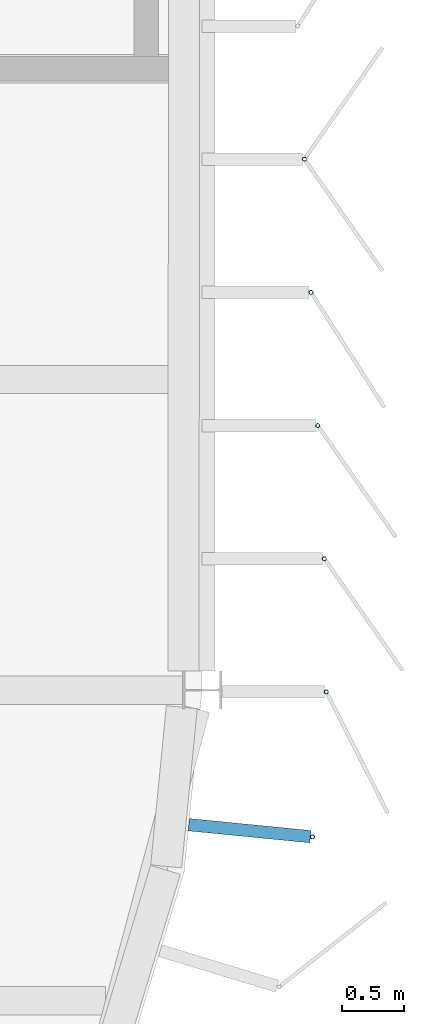
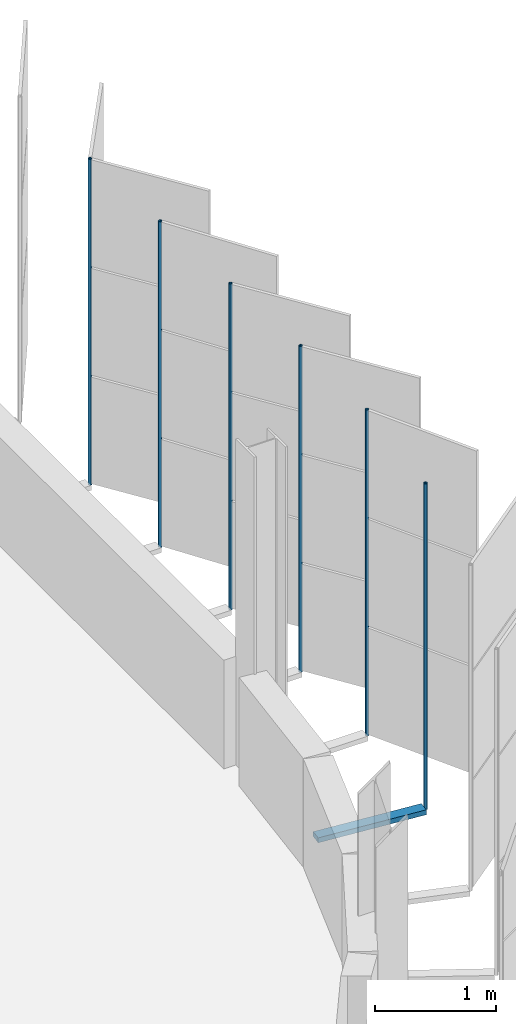
# One storey, part 94 of 199: 7 discrete accessories.
"""IFC4 building model written with IfcOpenShell, lengths in metres."""

from ifc_helpers import new_model, si_unit, direction, frame, origin, origin_2d, place, context, subcontext, project, spatial, rectangle, hollow_circle, extrude, material, material_profile, profile_set, type_object, element, save


model = new_model("IFC4")

# Units and contexts
model_context = context("Model", 3, precision=1e-05, world=origin(), true_north=direction((0.0, 1.0)))
body_context = subcontext(model_context, "Body", "Model", "MODEL_VIEW")
ifc_project = project(units=[si_unit("LENGTHUNIT", "METRE"), si_unit("AREAUNIT", "SQUARE_METRE"), si_unit("VOLUMEUNIT", "CUBIC_METRE"), si_unit("PLANEANGLEUNIT", "RADIAN"), si_unit("MASSUNIT", "GRAM", prefix="KILO")], contexts=[model_context])

# Site, building, storey
site_placement = place(None, origin())
site = spatial("IfcSite", under=ifc_project, at=site_placement, CompositionType="ELEMENT")
building_placement = place(site_placement, origin())
building = spatial("IfcBuilding", under=site, at=building_placement, Name="Parallax Yard Mobility Hub", CompositionType="ELEMENT")
storey_placement = place(building_placement, frame((0.0, 0.0, 9.89990234375)))
storey = spatial("IfcBuildingStorey", under=building, at=storey_placement, Name="L03", CompositionType="ELEMENT", Elevation=9.89990234375)

# Discrete accessories
ifc_material_1 = material(Name="Steel ASTM A36, hot-dip galvanised", Category="steel")
discrete_accessory_type_1 = type_object("IfcDiscreteAccessoryType", Name="Hinge bracket plate 100x50", PredefinedType="BRACKET", material=ifc_material_1)
discrete_accessory_placement = place(storey_placement, frame((225.382568359375, 28.868408203125, -0.02490234375), z_axis=(0.0, 0.0, 1.0), x_axis=(0.995184726672, -0.09801714033, 0.0)))
element("IfcDiscreteAccessory", 1, at=discrete_accessory_placement, inside=storey, type_object=discrete_accessory_type_1, Name="Hinge bracket plate bay 32.11 level L03", PredefinedType="BRACKET", context=body_context, shape_type="SweptSolid", body=[
    extrude(rectangle(XDim=0.984130859375, YDim=0.10009765625, at=origin_2d()), origin(), (0.0, 0.0, 1.0), 0.050048828125),
])
ifc_material_2 = material(Name="Steel ASTM A500 Gr C, hot-dip galvanised", Category="steel")
ifc_material_profile = material_profile(ifc_material_2, hollow_circle(Radius=0.016845703125, WallThickness=0.003173828125, at=origin_2d()), Name="CHS 33.7x3.2")
ifc_profile_set = profile_set([ifc_material_profile], Name="Steel ASTM A500 Gr C, hot-dip galvanised")
discrete_accessory_type_2 = type_object("IfcDiscreteAccessoryType", Name="Hinge post CHS 33.7x3.2", PredefinedType="BRACKET", material=ifc_profile_set)
for number, where, z_axis, x_axis, name in (
    (2, (225.888427734375, 28.818603515625, 0.0), (0.0, 0.0, 1.0), (1.0, 0.0, 0.0), "Hinge post bay 32.11 level L03"),
    (3, (226.0, 29.985595703125, 0.0), (0.0, 0.0, 1.0), (1.0, 0.0, 0.0), "Hinge post bay 33.1 level L03"),
    (4, (225.98388671875, 31.057373046875, 0.0), (0.0, 0.0, 1.0), (1.0, 0.0, 0.0), "Hinge post bay 33.2 level L03"),
    (5, (225.930419921875, 32.12890625, 0.0), (0.0, 0.0, 1.0), (1.0, 0.0, 0.0), "Hinge post bay 33.3 level L03"),
    (6, (225.876708984375, 33.20068359375, 0.0), (0.0, 0.0, 1.0), (1.0, 0.0, 0.0), "Hinge post bay 33.4 level L03"),
    (7, (225.8232421875, 34.2724609375, 0.0), (0.0, 0.0, 1.0), (1.0, 0.0, 0.0), "Hinge post bay 33.5 level L03"),
):
    element("IfcDiscreteAccessory", number, at=place(storey_placement, frame(where, z_axis=z_axis, x_axis=x_axis)), inside=storey, type_object=discrete_accessory_type_2, Name=name, PredefinedType="BRACKET", context=body_context, shape_type="SweptSolid", body=[
        extrude(hollow_circle(Radius=0.016845703125, WallThickness=0.003173828125, at=origin_2d()), origin(), (0.0, 0.0, 1.0), 3.300048828125),
    ])

save(model, "model.ifc")
